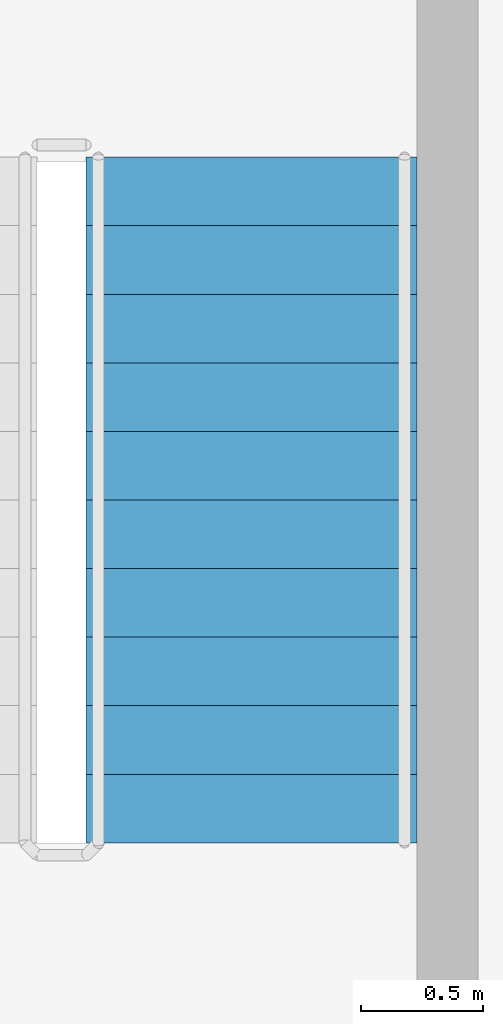
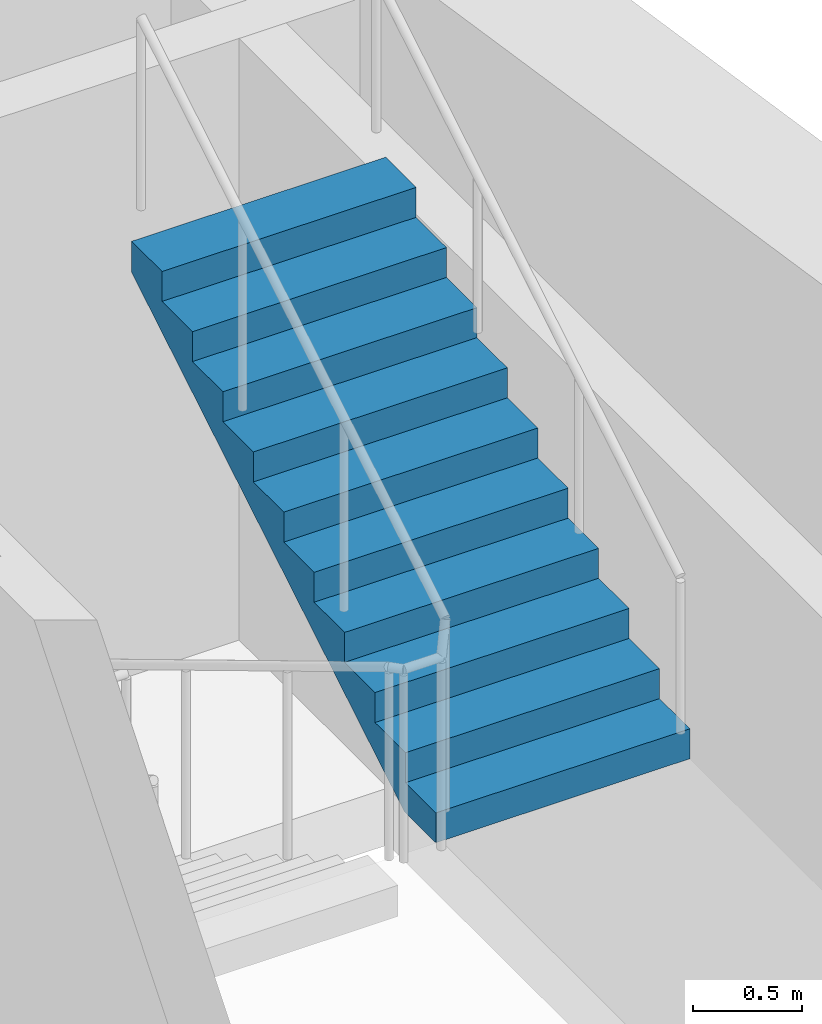
# One storey, part 7 of 14: 1 stair flight, 1 element without a shape of its own.
"""IFC4 building model written with IfcOpenShell, lengths in metres."""

from ifc_helpers import new_model, si_unit, direction, frame, origin, place, context, subcontext, project, spatial, polyline, outline, extrude, material, type_object, element, aggregate, save


model = new_model("IFC4")

# Units and contexts
model_context = context("Model", 3, precision=1e-05, world=origin(), true_north=direction((0.0, 1.0)))
body_context = subcontext(model_context, "Body", "Model", "MODEL_VIEW")
ifc_project = project(units=[si_unit("LENGTHUNIT", "METRE"), si_unit("AREAUNIT", "SQUARE_METRE"), si_unit("VOLUMEUNIT", "CUBIC_METRE"), si_unit("PLANEANGLEUNIT", "RADIAN"), si_unit("MASSUNIT", "GRAM", prefix="KILO")], contexts=[model_context])

# Site, building, storey
site_placement = place(None, origin())
site = spatial("IfcSite", under=ifc_project, at=site_placement, CompositionType="ELEMENT")
building_placement = place(site_placement, origin())
building = spatial("IfcBuilding", under=site, at=building_placement, Name="Candeia Pilgrim Tower and Theatre", CompositionType="ELEMENT")
storey_placement = place(building_placement, frame((0.0, 0.0, 266.39990234375)))
storey = spatial("IfcBuildingStorey", under=building, at=storey_placement, Name="L64", CompositionType="ELEMENT", Elevation=266.39990234375)

# Stair, stair flight
ifc_material = material(Name="Concrete C40/50", Category="concrete")
stair_type = type_object("IfcStairType", Name="ST-TWR dog-leg escape stair", PredefinedType="HALF_TURN_STAIR", material=ifc_material)
stair_placement = place(storey_placement, origin())
stair = element("IfcStair", 1, at=stair_placement, inside=storey, type_object=stair_type, Name="L64 Escape stair ST4", PredefinedType="HALF_TURN_STAIR")
stair_flight_type = type_object("IfcStairFlightType", Name="SFL-RC stair flight", PredefinedType="STRAIGHT", material=ifc_material)
stair_flight_placement = place(storey_placement, frame((136.322998046875, 126.925048828125, 1.85009765625), z_axis=(0.0, 0.0, 1.0), x_axis=(0.0, 1.0, 0.0)))
stair_flight = element("IfcStairFlight", 2, at=stair_flight_placement, type_object=stair_flight_type, Name="ST4 flight 2", NumberOfRisers=11, NumberOfTreads=10, PredefinedType="STRAIGHT", RiserHeight=0.168181818, TreadLength=0.28, context=body_context, shape_type="SweptSolid", body=[
    extrude(outline(polyline([(0.0, 0.0), (0.0, 0.168212890625), (0.280029296875, 0.168212890625), (0.280029296875, 0.33642578125), (0.56005859375, 0.33642578125), (0.56005859375, 0.504638671875), (0.840087890625, 0.504638671875), (0.840087890625, 0.672607421875), (1.1201171875, 0.672607421875), (1.1201171875, 0.8408203125), (1.39990234375, 0.8408203125), (1.39990234375, 1.009033203125), (1.679931640625, 1.009033203125), (1.679931640625, 1.17724609375), (1.9599609375, 1.17724609375), (1.9599609375, 1.345458984375), (2.239990234375, 1.345458984375), (2.239990234375, 1.513671875), (2.52001953125, 1.513671875), (2.52001953125, 1.681884765625), (2.800048828125, 1.681884765625), (2.800048828125, 1.85009765625), (2.800048828125, 1.5068359375), (0.291015625, 0.0), (0.0, 0.0)])), frame((0.0, 0.675048828125, 0.0), z_axis=(0.0, -1.0, 0.0), x_axis=(1.0, 0.0, 0.0)), (0.0, 0.0, 1.0), 1.35009765625),
])
aggregate(stair, [stair_flight])

save(model, "model.ifc")
